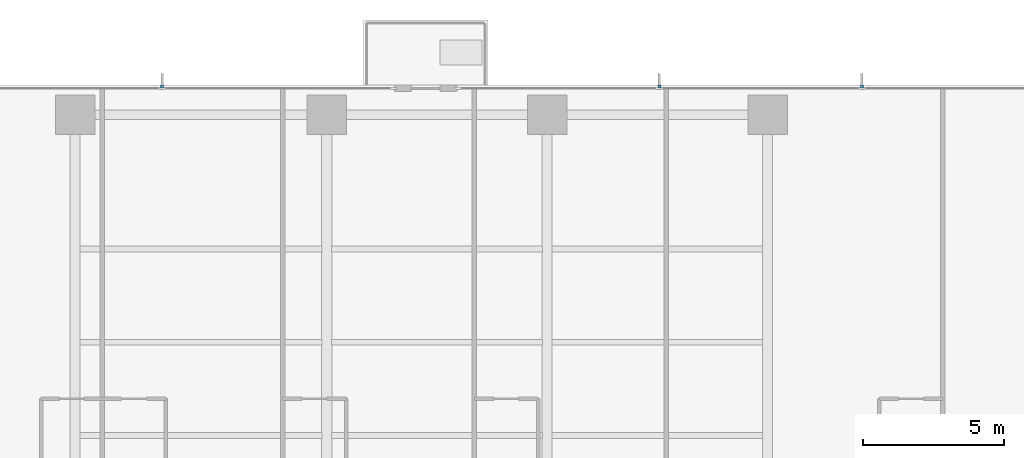
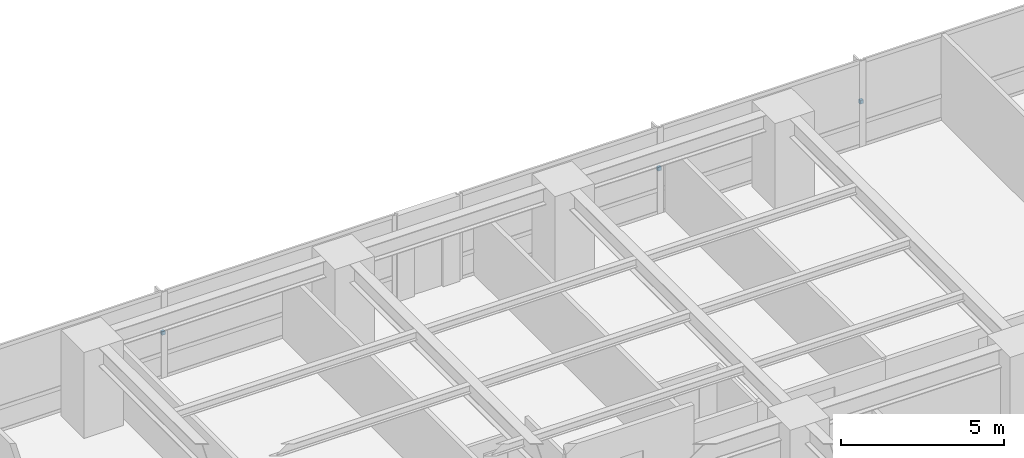
# One storey, part 14 of 16: 3 discrete accessories.
"""IFC4 building model written with IfcOpenShell, lengths in metres."""

from ifc_helpers import new_model, si_unit, direction, frame, origin, place, context, subcontext, project, spatial, polyline, outline, extrude, material, type_object, element, save


model = new_model("IFC4")

# Units and contexts
model_context = context("Model", 3, precision=1e-05, world=origin(), true_north=direction((0.0, 1.0)))
body_context = subcontext(model_context, "Body", "Model", "MODEL_VIEW")
ifc_project = project(units=[si_unit("LENGTHUNIT", "METRE"), si_unit("AREAUNIT", "SQUARE_METRE"), si_unit("VOLUMEUNIT", "CUBIC_METRE"), si_unit("PLANEANGLEUNIT", "RADIAN"), si_unit("MASSUNIT", "GRAM", prefix="KILO")], contexts=[model_context])

# Site, building, storey
site_placement = place(None, origin())
site = spatial("IfcSite", under=ifc_project, at=site_placement, CompositionType="ELEMENT")
building_placement = place(site_placement, origin())
building = spatial("IfcBuilding", under=site, at=building_placement, Name="Qalmaran Belvedere Hotel", CompositionType="ELEMENT")
storey_placement = place(building_placement, frame((0.0, 0.0, 36.89990234375)))
storey = spatial("IfcBuildingStorey", under=building, at=storey_placement, Name="L08", CompositionType="ELEMENT", Elevation=36.89990234375)

# Discrete accessories
ifc_material = material(Name="Stainless Steel 1.4401", Category="steel")
discrete_accessory_type = type_object("IfcDiscreteAccessoryType", Name="BRK-FIN-SS316", PredefinedType="BRACKET", material=ifc_material)
discrete_accessory_1_placement = place(storey_placement, frame((0.0, 0.0, 1.56005859375)))
element("IfcDiscreteAccessory", 1, at=discrete_accessory_1_placement, inside=storey, type_object=discrete_accessory_type, Name="L08 Fin Bracket 1", PredefinedType="BRACKET", context=body_context, shape_type="SweptSolid", body=[
    extrude(outline(polyline([(23.429931640625, 48.39501953125), (23.429931640625, 48.492431640625), (23.320068359375, 48.492431640625), (23.320068359375, 48.39501953125), (23.429931640625, 48.39501953125)])), origin(), (0.0, 0.0, 1.0), 0.14013671875),
])
discrete_accessory_2_placement = place(storey_placement, frame((0.0, 0.0, 1.56005859375)))
element("IfcDiscreteAccessory", 2, at=discrete_accessory_2_placement, inside=storey, type_object=discrete_accessory_type, Name="L08 Fin Bracket 1", PredefinedType="BRACKET", context=body_context, shape_type="SweptSolid", body=[
    extrude(outline(polyline([(48.188232421875, 48.39501953125), (48.188232421875, 48.492431640625), (48.078369140625, 48.492431640625), (48.078369140625, 48.39501953125), (48.188232421875, 48.39501953125)])), origin(), (0.0, 0.0, 1.0), 0.14013671875),
])
discrete_accessory_3_placement = place(storey_placement, frame((0.0, 0.0, 1.56005859375)))
element("IfcDiscreteAccessory", 3, at=discrete_accessory_3_placement, inside=storey, type_object=discrete_accessory_type, Name="L08 Fin Bracket 2", PredefinedType="BRACKET", context=body_context, shape_type="SweptSolid", body=[
    extrude(outline(polyline([(41.021728515625, 48.39501953125), (41.021728515625, 48.492431640625), (40.91162109375, 48.492431640625), (40.91162109375, 48.39501953125), (41.021728515625, 48.39501953125)])), origin(), (0.0, 0.0, 1.0), 0.14013671875),
])

save(model, "model.ifc")
